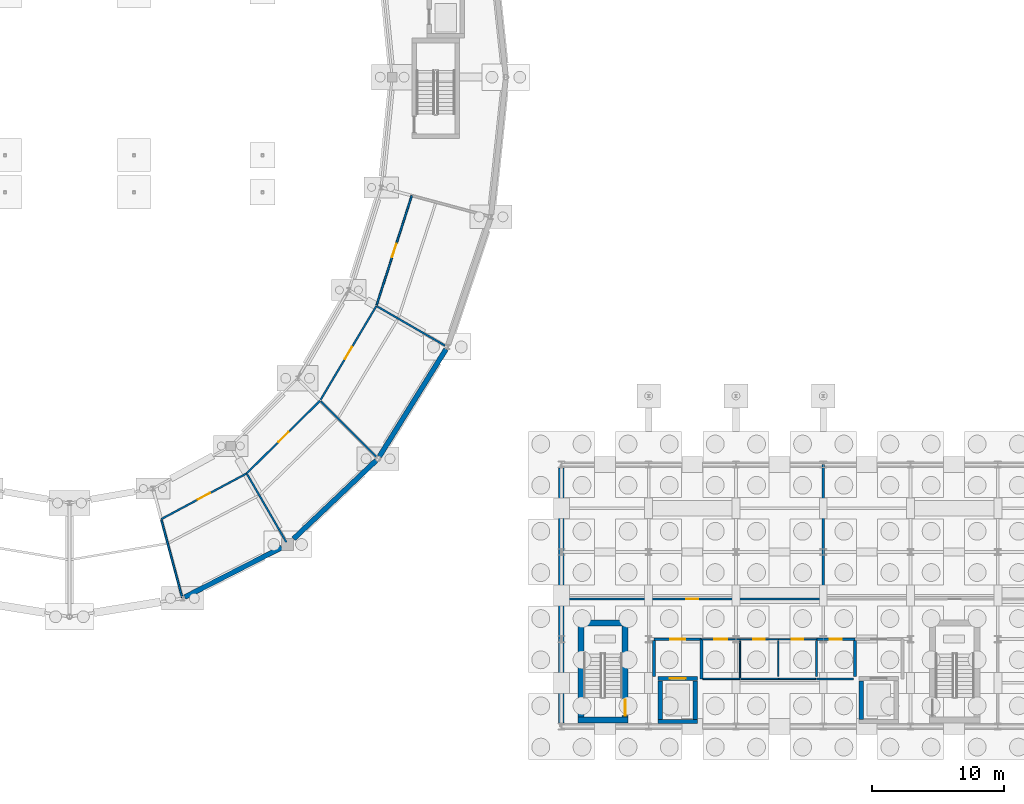
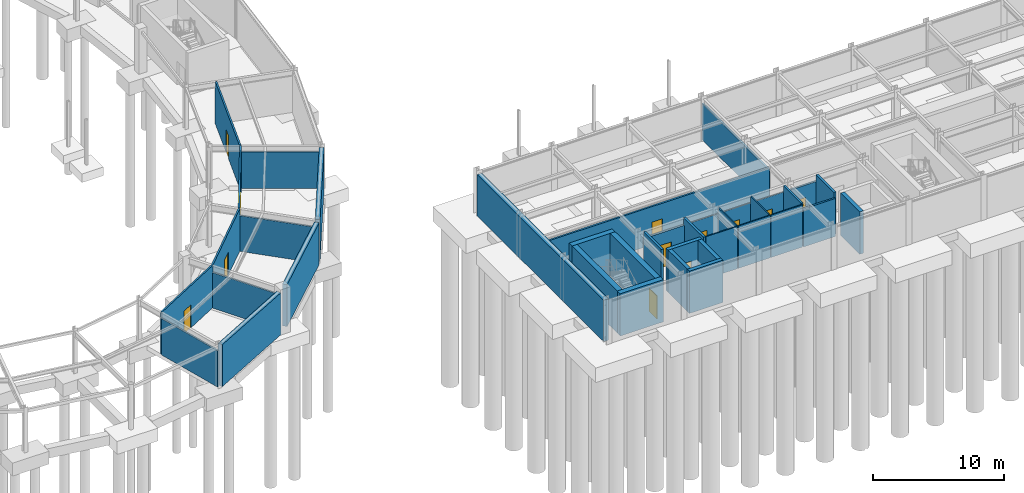
# One storey, part 43 of 58: 38 walls, 12 doors, 12 openings.
"""IFC4 building model written with IfcOpenShell, lengths in metres."""

from ifc_helpers import new_model, si_unit, direction, frame, frame_2d, origin, place, context, subcontext, project, spatial, rectangle, extrude, material, layer, layer_set, type_object, element, fill, save


model = new_model("IFC4")

# Units and contexts
model_context = context("Model", 3, precision=1e-05, world=origin(), true_north=direction((0.0, 1.0)))
body_context = subcontext(model_context, "Body", "Model", "MODEL_VIEW")
ifc_project = project(units=[si_unit("LENGTHUNIT", "METRE"), si_unit("AREAUNIT", "SQUARE_METRE"), si_unit("VOLUMEUNIT", "CUBIC_METRE"), si_unit("PLANEANGLEUNIT", "RADIAN"), si_unit("MASSUNIT", "GRAM", prefix="KILO")], contexts=[model_context])

# Site, building, storey
site_placement = place(None, origin())
site = spatial("IfcSite", under=ifc_project, at=site_placement, CompositionType="ELEMENT")
building_placement = place(site_placement, origin())
building = spatial("IfcBuilding", under=site, at=building_placement, Name="Karori Crest Natural Sciences Institute", CompositionType="ELEMENT")
storey_placement = place(building_placement, frame((0.0, 0.0, -4.199951171875)))
storey = spatial("IfcBuildingStorey", under=building, at=storey_placement, Name="B1", CompositionType="ELEMENT", Elevation=-4.199951171875)

# Walls
ifc_material_1 = material(Name="Concrete 50 MPa", Category="concrete")
ifc_layer_1 = layer(ifc_material_1, 0.449951171875, Name="Concrete 50 MPa")
ifc_layer_set_1 = layer_set([ifc_layer_1], Name="Concrete 50 MPa")
wall_type_1 = type_object("IfcWallType", Name="IWT-01", PredefinedType="SHEAR", material=ifc_layer_set_1)
for number, where, z_axis, x_axis, name in (
    (1, (104.85009765625, 1.27490234375, 0.0), (0.0, 0.0, 1.0), (1.0, 0.0, 0.0), "Shear wall IW-0069"),
    (2, (104.85009765625, 8.625, 0.0), (0.0, 0.0, 1.0), (1.0, 0.0, 0.0), "Shear wall IW-0070"),
):
    element("IfcWall", number, at=place(storey_placement, frame(where, z_axis=z_axis, x_axis=x_axis)), inside=storey, type_object=wall_type_1, Name=name, PredefinedType="SHEAR", context=body_context, shape_type="SweptSolid", body=[
        extrude(rectangle(XDim=3.7998046875, YDim=0.449951171875, at=frame_2d((1.89990234375, 0.0))), origin(), (0.0, 0.0, 1.0), 3.93994140625),
    ])
wall_1_placement = place(storey_placement, frame((105.074951171875, 1.501953125, 0.0), z_axis=(0.0, 0.0, 1.0), x_axis=(0.0, 1.0, 0.0)))
element("IfcWall", 3, at=wall_1_placement, inside=storey, type_object=wall_type_1, Name="Shear wall IW-0071", PredefinedType="SHEAR", context=body_context, shape_type="SweptSolid", body=[
    extrude(rectangle(XDim=6.89599609375, YDim=0.449951171875, at=frame_2d((3.447998046875, 0.0))), origin(), (0.0, 0.0, 1.0), 3.93994140625),
])

# Wall, opening, door
wall_2_placement = place(storey_placement, frame((108.425048828125, 1.501953125, 0.0), z_axis=(0.0, 0.0, 1.0), x_axis=(0.0, 1.0, 0.0)))
wall_2 = element("IfcWall", 4, at=wall_2_placement, inside=storey, type_object=wall_type_1, Name="Shear wall IW-0072", PredefinedType="SHEAR", context=body_context, shape_type="SweptSolid", body=[
    extrude(rectangle(XDim=6.89599609375, YDim=0.449951171875, at=frame_2d((3.447998046875, 0.0))), origin(), (0.0, 0.0, 1.0), 3.93994140625),
])
opening_1_placement = place(wall_2_placement, frame((0.1201171875, 0.0, 0.0)))
opening_1 = element("IfcOpeningElement", 5, at=opening_1_placement, cuts=wall_2, Name="Opening ID-0018", PredefinedType="OPENING", context=body_context, shape_type="SweptSolid", body=[
    extrude(rectangle(XDim=1.199951171875, YDim=2.14990234375, at=frame_2d((0.60009765625, 1.074951171875))), frame((0.0, 0.23486328125, 0.0), z_axis=(0.0, -1.0, 0.0), x_axis=(1.0, 0.0, 0.0)), (0.0, 0.0, 1.0), 0.469970703125),
])
ifc_material_2 = material(Name="Stainless steel 316 and fire-rated timber", Category="steel")
door_type_1 = type_object("IfcDoorType", Name="IDT-01", OperationType="NOTDEFINED", PredefinedType="DOOR", material=ifc_material_2)
door_1_placement = place(opening_1_placement, origin())
door_1 = element("IfcDoor", 6, at=door_1_placement, inside=storey, type_object=door_type_1, Name="Stair ST-03 fire door ID-0018", OperationType="SINGLE_SWING_RIGHT", OverallHeight=2.14990234375, OverallWidth=1.199951171875, PredefinedType="DOOR", context=body_context, shape_type="SweptSolid", body=[
    extrude(rectangle(XDim=1.199951171875, YDim=2.14990234375, at=frame_2d((0.60009765625, 1.074951171875))), frame((0.0, 0.02490234375, 0.0), z_axis=(0.0, -1.0, 0.0), x_axis=(1.0, 0.0, 0.0)), (0.0, 0.0, 1.0), 0.050048828125),
])
fill(opening_1, door_1)

# Wall
ifc_layer_2 = layer(ifc_material_1, 0.320068359375, Name="Concrete 50 MPa")
ifc_layer_set_2 = layer_set([ifc_layer_2], Name="Concrete 50 MPa")
wall_type_2 = type_object("IfcWallType", Name="IWT-03", PredefinedType="SHEAR", material=ifc_layer_set_2)
wall_3_placement = place(storey_placement, frame((110.919921875, 1.179931640625, 0.0), z_axis=(0.0, 0.0, 1.0), x_axis=(1.0, 0.0, 0.0)))
element("IfcWall", 7, at=wall_3_placement, inside=storey, type_object=wall_type_2, Name="Shear wall IW-0305", PredefinedType="SHEAR", context=body_context, shape_type="SweptSolid", body=[
    extrude(rectangle(XDim=2.9599609375, YDim=0.320068359375, at=frame_2d((1.47998046875, 0.0))), origin(), (0.0, 0.0, 1.0), 3.93994140625),
])

# Wall, opening, door
wall_4_placement = place(storey_placement, frame((110.919921875, 4.419921875, 0.0), z_axis=(0.0, 0.0, 1.0), x_axis=(1.0, 0.0, 0.0)))
wall_4 = element("IfcWall", 8, at=wall_4_placement, inside=storey, type_object=wall_type_2, Name="Shear wall IW-0306", PredefinedType="SHEAR", context=body_context, shape_type="SweptSolid", body=[
    extrude(rectangle(XDim=2.9599609375, YDim=0.320068359375, at=frame_2d((1.47998046875, 0.0))), origin(), (0.0, 0.0, 1.0), 3.93994140625),
])
opening_2_placement = place(wall_4_placement, frame((0.8798828125, 0.0, 0.0)))
opening_2 = element("IfcOpeningElement", 9, at=opening_2_placement, cuts=wall_4, Name="Opening LD-0001", PredefinedType="OPENING", context=body_context, shape_type="SweptSolid", body=[
    extrude(rectangle(XDim=1.199951171875, YDim=2.199951171875, at=frame_2d((0.60009765625, 1.10009765625))), frame((0.0, 0.169921875, 0.0), z_axis=(0.0, -1.0, 0.0), x_axis=(1.0, 0.0, 0.0)), (0.0, 0.0, 1.0), 0.340087890625),
])
door_type_2 = type_object("IfcDoorType", Name="LDT-02", OperationType="SLIDING_TO_LEFT", PredefinedType="DOOR", material=ifc_material_2)
door_2_placement = place(opening_2_placement, origin())
door_2 = element("IfcDoor", 10, at=door_2_placement, inside=storey, type_object=door_type_2, Name="Lift LF-01 landing door LD-0001", OperationType="SLIDING_TO_LEFT", OverallHeight=2.199951171875, OverallWidth=1.199951171875, PredefinedType="DOOR", context=body_context, shape_type="SweptSolid", body=[
    extrude(rectangle(XDim=1.199951171875, YDim=2.199951171875, at=frame_2d((0.60009765625, 1.10009765625))), frame((0.0, 0.02490234375, 0.0), z_axis=(0.0, -1.0, 0.0), x_axis=(1.0, 0.0, 0.0)), (0.0, 0.0, 1.0), 0.050048828125),
])
fill(opening_2, door_2)

# Walls
for number, where, z_axis, x_axis, name in (
    (11, (111.080078125, 1.342041015625, 0.0), (0.0, 0.0, 1.0), (0.0, 1.0, 0.0), "Shear wall IW-0307"),
    (12, (113.719970703125, 1.342041015625, 0.0), (0.0, 0.0, 1.0), (0.0, 1.0, 0.0), "Shear wall IW-0308"),
    (13, (126.280029296875, 1.342041015625, 0.0), (0.0, 0.0, 1.0), (0.0, 1.0, 0.0), "Shear wall IW-0355"),
):
    element("IfcWall", number, at=place(storey_placement, frame(where, z_axis=z_axis, x_axis=x_axis)), inside=storey, type_object=wall_type_2, Name=name, PredefinedType="SHEAR", context=body_context, shape_type="SweptSolid", body=[
        extrude(rectangle(XDim=2.916015625, YDim=0.320068359375, at=frame_2d((1.4580078125, 0.0))), origin(), (0.0, 0.0, 1.0), 3.93994140625),
    ])

# Wall, opening, door
ifc_material_3 = material(Name="Concrete 40 MPa", Category="concrete")
ifc_layer_3 = layer(ifc_material_3, 0.199951171875, Name="Concrete 40 MPa")
ifc_layer_set_3 = layer_set([ifc_layer_3], Name="Concrete 40 MPa")
wall_type_3 = type_object("IfcWallType", Name="IWT-04", PredefinedType="SOLIDWALL", material=ifc_layer_set_3)
wall_5_placement = place(storey_placement, frame((110.60009765625, 7.39990234375, 0.0), z_axis=(0.0, 0.0, 1.0), x_axis=(1.0, 0.0, 0.0)))
wall_5 = element("IfcWall", 14, at=wall_5_placement, inside=storey, type_object=wall_type_3, Name="Partition wall IW-0551", PredefinedType="SOLIDWALL", context=body_context, shape_type="SweptSolid", body=[
    extrude(rectangle(XDim=3.599853515625, YDim=0.199951171875, at=frame_2d((1.7998046875, 0.0))), origin(), (0.0, 0.0, 1.0), 3.29296875),
])
opening_3_placement = place(wall_5_placement, frame((1.22509765625, 0.0, 0.0)))
opening_3 = element("IfcOpeningElement", 15, at=opening_3_placement, cuts=wall_5, Name="Opening ID-0077", PredefinedType="OPENING", context=body_context, shape_type="SweptSolid", body=[
    extrude(rectangle(XDim=1.14990234375, YDim=2.14990234375, at=frame_2d((0.574951171875, 1.074951171875))), frame((0.0, 0.10986328125, 0.0), z_axis=(0.0, -1.0, 0.0), x_axis=(1.0, 0.0, 0.0)), (0.0, 0.0, 1.0), 0.219970703125),
])
door_type_3 = type_object("IfcDoorType", Name="IDT-02", OperationType="NOTDEFINED", PredefinedType="DOOR", material=ifc_material_2)
door_3_placement = place(opening_3_placement, origin())
door_3 = element("IfcDoor", 16, at=door_3_placement, inside=storey, type_object=door_type_3, Name="Firefighting Lift Lobby West door ID-0077", OperationType="SINGLE_SWING_LEFT", OverallHeight=2.14990234375, OverallWidth=1.14990234375, PredefinedType="DOOR", context=body_context, shape_type="SweptSolid", body=[
    extrude(rectangle(XDim=1.14990234375, YDim=2.14990234375, at=frame_2d((0.574951171875, 1.074951171875))), frame((0.0, 0.02490234375, 0.0), z_axis=(0.0, -1.0, 0.0), x_axis=(1.0, 0.0, 0.0)), (0.0, 0.0, 1.0), 0.050048828125),
])
fill(opening_3, door_3)

# Walls
wall_6_placement = place(storey_placement, frame((110.60009765625, 4.58203125, 0.0), z_axis=(0.0, 0.0, 1.0), x_axis=(0.0, 1.0, 0.0)))
element("IfcWall", 17, at=wall_6_placement, inside=storey, type_object=wall_type_3, Name="Partition wall IW-0552", PredefinedType="SOLIDWALL", context=body_context, shape_type="SweptSolid", body=[
    extrude(rectangle(XDim=2.716064453125, YDim=0.199951171875, at=frame_2d((1.35791015625, 0.0))), origin(), (0.0, 0.0, 1.0), 3.93994140625),
])
wall_7_placement = place(storey_placement, frame((114.199951171875, 4.39990234375, 0.0), z_axis=(0.0, 0.0, 1.0), x_axis=(0.0, 1.0, 0.0)))
element("IfcWall", 18, at=wall_7_placement, inside=storey, type_object=wall_type_3, Name="Partition wall IW-0553", PredefinedType="SOLIDWALL", context=body_context, shape_type="SweptSolid", body=[
    extrude(rectangle(XDim=3.0, YDim=0.199951171875, at=frame_2d((1.5, 0.0))), origin(), (0.0, 0.0, 1.0), 3.93994140625),
])
wall_8_placement = place(storey_placement, frame((125.800048828125, 4.58203125, 0.0), z_axis=(0.0, 0.0, 1.0), x_axis=(0.0, 1.0, 0.0)))
element("IfcWall", 19, at=wall_8_placement, inside=storey, type_object=wall_type_3, Name="Partition wall IW-0555", PredefinedType="SOLIDWALL", context=body_context, shape_type="SweptSolid", body=[
    extrude(rectangle(XDim=2.716064453125, YDim=0.199951171875, at=frame_2d((1.35791015625, 0.0))), origin(), (0.0, 0.0, 1.0), 3.93994140625),
])
ifc_material_4 = material(Name="Acoustic steel-stud fireboard partition", Category="steel")
ifc_layer_4 = layer(ifc_material_4, 0.159912109375, Name="Acoustic steel-stud fireboard partition")
ifc_layer_set_4 = layer_set([ifc_layer_4], Name="Acoustic steel-stud fireboard partition")
wall_type_4 = type_object("IfcWallType", Name="IWT-05", PredefinedType="PARTITIONING", material=ifc_layer_set_4)
wall_9_placement = place(storey_placement, frame((122.89990234375, 4.39990234375, 0.0), z_axis=(0.0, 0.0, 1.0), x_axis=(1.0, 0.0, 0.0)))
element("IfcWall", 20, at=wall_9_placement, inside=storey, type_object=wall_type_4, Name="Partition wall IW-0557", PredefinedType="PARTITIONING", context=body_context, shape_type="SweptSolid", body=[
    extrude(rectangle(XDim=2.798095703125, YDim=0.159912109375, at=frame_2d((1.39892578125, 0.0))), origin(), (0.0, 0.0, 1.0), 3.5458984375),
])

# Wall, opening, door
wall_10_placement = place(storey_placement, frame((122.89990234375, 7.39990234375, 0.0), z_axis=(0.0, 0.0, 1.0), x_axis=(1.0, 0.0, 0.0)))
wall_10 = element("IfcWall", 21, at=wall_10_placement, inside=storey, type_object=wall_type_4, Name="Partition wall IW-0558", PredefinedType="PARTITIONING", context=body_context, shape_type="SweptSolid", body=[
    extrude(rectangle(XDim=2.898193359375, YDim=0.159912109375, at=frame_2d((1.44921875, 0.0))), origin(), (0.0, 0.0, 1.0), 3.29296875),
])
opening_4_placement = place(wall_10_placement, frame((0.989013671875, 0.0, 0.0)))
opening_4 = element("IfcOpeningElement", 22, at=opening_4_placement, cuts=wall_10, Name="Opening ID-0079", PredefinedType="OPENING", context=body_context, shape_type="SweptSolid", body=[
    extrude(rectangle(XDim=0.919921875, YDim=2.1201171875, at=frame_2d((0.4599609375, 1.06005859375))), frame((0.0, 0.08984375, 0.0), z_axis=(0.0, -1.0, 0.0), x_axis=(1.0, 0.0, 0.0)), (0.0, 0.0, 1.0), 0.179931640625),
])
door_type_4 = type_object("IfcDoorType", Name="IDT-14", OperationType="NOTDEFINED", PredefinedType="DOOR", material=ifc_material_2)
door_4_placement = place(opening_4_placement, origin())
door_4 = element("IfcDoor", 23, at=door_4_placement, inside=storey, type_object=door_type_4, Name="Electrical Switchroom door ID-0079", OperationType="SINGLE_SWING_LEFT", OverallHeight=2.1201171875, OverallWidth=0.919921875, PredefinedType="DOOR", context=body_context, shape_type="SweptSolid", body=[
    extrude(rectangle(XDim=0.919921875, YDim=2.1201171875, at=frame_2d((0.4599609375, 1.06005859375))), frame((0.0, 0.02490234375, 0.0), z_axis=(0.0, -1.0, 0.0), x_axis=(1.0, 0.0, 0.0)), (0.0, 0.0, 1.0), 0.050048828125),
])
fill(opening_4, door_4)

# Wall
wall_11_placement = place(storey_placement, frame((122.89990234375, 4.58203125, 0.0), z_axis=(0.0, 0.0, 1.0), x_axis=(0.0, 1.0, 0.0)))
element("IfcWall", 24, at=wall_11_placement, inside=storey, type_object=wall_type_4, Name="Partition wall IW-0559", PredefinedType="PARTITIONING", context=body_context, shape_type="SweptSolid", body=[
    extrude(rectangle(XDim=2.716064453125, YDim=0.159912109375, at=frame_2d((1.35791015625, 0.0))), origin(), (0.0, 0.0, 1.0), 3.93994140625),
])

# Wall, opening, door
wall_12_placement = place(storey_placement, frame((103.60009765625, 10.449951171875, 0.0), z_axis=(0.0, 0.0, 1.0), x_axis=(1.0, 0.0, 0.0)))
wall_12 = element("IfcWall", 25, at=wall_12_placement, inside=storey, type_object=wall_type_4, Name="Partition wall IW-0570", PredefinedType="PARTITIONING", context=body_context, shape_type="SweptSolid", body=[
    extrude(rectangle(XDim=19.7998046875, YDim=0.159912109375, at=frame_2d((9.89990234375, 0.0))), origin(), (0.0, 0.0, 1.0), 3.5458984375),
])
opening_5_placement = place(wall_12_placement, frame((9.449951171875, 0.0, 0.0)))
opening_5 = element("IfcOpeningElement", 26, at=opening_5_placement, cuts=wall_12, Name="Opening ID-0084", PredefinedType="OPENING", context=body_context, shape_type="SweptSolid", body=[
    extrude(rectangle(XDim=0.89990234375, YDim=2.10009765625, at=frame_2d((0.449951171875, 1.050048828125))), frame((0.0, 0.08984375, 0.0), z_axis=(0.0, -1.0, 0.0), x_axis=(1.0, 0.0, 0.0)), (0.0, 0.0, 1.0), 0.179931640625),
])
door_type_5 = type_object("IfcDoorType", Name="IDT-07", OperationType="NOTDEFINED", PredefinedType="DOOR", material=ifc_material_2)
door_5_placement = place(opening_5_placement, origin())
door_5 = element("IfcDoor", 27, at=door_5_placement, inside=storey, type_object=door_type_5, Name="Sprinkler and Rainwater Harvesting Tank Plant Room door ID-0084", OperationType="SINGLE_SWING_RIGHT", OverallHeight=2.10009765625, OverallWidth=0.89990234375, PredefinedType="DOOR", context=body_context, shape_type="SweptSolid", body=[
    extrude(rectangle(XDim=0.89990234375, YDim=2.10009765625, at=frame_2d((0.449951171875, 1.050048828125))), frame((0.0, 0.02490234375, 0.0), z_axis=(0.0, -1.0, 0.0), x_axis=(1.0, 0.0, 0.0)), (0.0, 0.0, 1.0), 0.050048828125),
])
fill(opening_5, door_5)

# Wall
wall_13_placement = place(storey_placement, frame((123.39990234375, 10.449951171875, 0.0), z_axis=(0.0, 0.0, 1.0), x_axis=(0.0, 1.0, 0.0)))
element("IfcWall", 28, at=wall_13_placement, inside=storey, type_object=wall_type_4, Name="Partition wall IW-0571", PredefinedType="PARTITIONING", context=body_context, shape_type="SweptSolid", body=[
    extrude(rectangle(XDim=10.150146484375, YDim=0.159912109375, at=frame_2d((5.0751953125, 0.0))), origin(), (0.0, 0.0, 1.0), 3.3720703125),
])

# Wall, opening, door
ifc_material_5 = material(Name="Laboratory acoustic drywall partition")
ifc_layer_5 = layer(ifc_material_5, 0.139892578125, Name="Laboratory acoustic drywall partition")
ifc_layer_set_5 = layer_set([ifc_layer_5], Name="Laboratory acoustic drywall partition")
wall_type_5 = type_object("IfcWallType", Name="IWT-07", PredefinedType="PARTITIONING", material=ifc_layer_set_5)
wall_14_placement = place(storey_placement, frame((73.33642578125, 16.47900390625, 0.0), z_axis=(0.0, 0.0, 1.0), x_axis=(0.88182684056, 0.471573348768, 0.0)))
wall_14 = element("IfcWall", 29, at=wall_14_placement, inside=storey, type_object=wall_type_5, Name="Partition wall IW-1136", PredefinedType="PARTITIONING", context=body_context, shape_type="SweptSolid", body=[
    extrude(rectangle(XDim=7.329833984375, YDim=0.139892578125, at=frame_2d((3.6650390625, 0.0))), origin(), (0.0, 0.0, 1.0), 3.93994140625),
])
opening_6_placement = place(wall_14_placement, frame((3.139892578125, 0.0, 0.0)))
opening_6 = element("IfcOpeningElement", 30, at=opening_6_placement, cuts=wall_14, Name="Opening ID-0333", PredefinedType="OPENING", context=body_context, shape_type="SweptSolid", body=[
    extrude(rectangle(XDim=1.050048828125, YDim=2.14990234375, at=frame_2d((0.52490234375, 1.074951171875))), frame((0.0, 0.080078125, 0.0), z_axis=(0.0, -1.0, 0.0), x_axis=(1.0, 0.0, 0.0)), (0.0, 0.0, 1.0), 0.159912109375),
])
door_type_6 = type_object("IfcDoorType", Name="IDT-03", OperationType="NOTDEFINED", PredefinedType="DOOR", material=ifc_material_2)
door_6_placement = place(opening_6_placement, origin())
door_6 = element("IfcDoor", 31, at=door_6_placement, inside=storey, type_object=door_type_6, Name="Specimen Cold Store door ID-0333", OperationType="SINGLE_SWING_LEFT", OverallHeight=2.14990234375, OverallWidth=1.050048828125, PredefinedType="DOOR", context=body_context, shape_type="SweptSolid", body=[
    extrude(rectangle(XDim=1.050048828125, YDim=2.14990234375, at=frame_2d((0.52490234375, 1.074951171875))), frame((0.0, 0.02490234375, 0.0), z_axis=(0.0, -1.0, 0.0), x_axis=(1.0, 0.0, 0.0)), (0.0, 0.0, 1.0), 0.050048828125),
])
fill(opening_6, door_6)

# Walls
wall_15_placement = place(storey_placement, frame((73.357177734375, 16.401611328125, 0.0), z_axis=(0.0, 0.0, 1.0), x_axis=(0.258805895167, -0.965929349708, 0.0)))
element("IfcWall", 32, at=wall_15_placement, inside=storey, type_object=wall_type_5, Name="Partition wall IW-1137", PredefinedType="PARTITIONING", context=body_context, shape_type="SweptSolid", body=[
    extrude(rectangle(XDim=6.06005859375, YDim=0.139892578125, at=frame_2d((3.030029296875, 0.0))), origin(), (0.0, 0.0, 1.0), 3.391845703125),
])
wall_16_placement = place(storey_placement, frame((79.840087890625, 19.8662109375, 0.0), z_axis=(0.0, 0.0, 1.0), x_axis=(0.500001726418, -0.866024407034, 0.0)))
element("IfcWall", 33, at=wall_16_placement, inside=storey, type_object=wall_type_5, Name="Partition wall IW-1138", PredefinedType="PARTITIONING", context=body_context, shape_type="SweptSolid", body=[
    extrude(rectangle(XDim=5.927734375, YDim=0.139892578125, at=frame_2d((2.9638671875, 0.0))), origin(), (0.0, 0.0, 1.0), 3.31298828125),
])

# Wall, opening, door
wall_17_placement = place(storey_placement, frame((79.801513671875, 19.93701171875, 0.0), z_axis=(0.0, 0.0, 1.0), x_axis=(0.710427757183, 0.703770134222, 0.0)))
wall_17 = element("IfcWall", 34, at=wall_17_placement, inside=storey, type_object=wall_type_5, Name="Partition wall IW-1139", PredefinedType="PARTITIONING", context=body_context, shape_type="SweptSolid", body=[
    extrude(rectangle(XDim=7.810791015625, YDim=0.139892578125, at=frame_2d((3.9052734375, 0.0))), origin(), (0.0, 0.0, 1.0), 3.93994140625),
])
opening_7_placement = place(wall_17_placement, frame((3.380615234375, 0.0, 0.0)))
opening_7 = element("IfcOpeningElement", 35, at=opening_7_placement, cuts=wall_17, Name="Opening ID-0334", PredefinedType="OPENING", context=body_context, shape_type="SweptSolid", body=[
    extrude(rectangle(XDim=1.050048828125, YDim=2.14990234375, at=frame_2d((0.52490234375, 1.074951171875))), frame((0.0, 0.080078125, 0.0), z_axis=(0.0, -1.0, 0.0), x_axis=(1.0, 0.0, 0.0)), (0.0, 0.0, 1.0), 0.159912109375),
])
door_7_placement = place(opening_7_placement, origin())
door_7 = element("IfcDoor", 36, at=door_7_placement, inside=storey, type_object=door_type_6, Name="Laboratory Exhaust and Vacuum Plant Room door ID-0334", OperationType="SINGLE_SWING_RIGHT", OverallHeight=2.14990234375, OverallWidth=1.050048828125, PredefinedType="DOOR", context=body_context, shape_type="SweptSolid", body=[
    extrude(rectangle(XDim=1.050048828125, YDim=2.14990234375, at=frame_2d((0.52490234375, 1.074951171875))), frame((0.0, 0.02490234375, 0.0), z_axis=(0.0, -1.0, 0.0), x_axis=(1.0, 0.0, 0.0)), (0.0, 0.0, 1.0), 0.050048828125),
])
fill(opening_7, door_7)

# Wall
wall_18_placement = place(storey_placement, frame((85.406982421875, 25.37744140625, 0.0), z_axis=(0.0, 0.0, 1.0), x_axis=(0.707106781187, -0.707106781187, 0.0)))
element("IfcWall", 37, at=wall_18_placement, inside=storey, type_object=wall_type_5, Name="Partition wall IW-1140", PredefinedType="PARTITIONING", context=body_context, shape_type="SweptSolid", body=[
    extrude(rectangle(XDim=5.927978515625, YDim=0.139892578125, at=frame_2d((2.9638671875, 0.0))), origin(), (0.0, 0.0, 1.0), 3.322998046875),
])

# Wall, opening, door
wall_19_placement = place(storey_placement, frame((85.388427734375, 25.497802734375, 0.0), z_axis=(0.0, 0.0, 1.0), x_axis=(0.510914893672, 0.8596312997, 0.0)))
wall_19 = element("IfcWall", 38, at=wall_19_placement, inside=storey, type_object=wall_type_5, Name="Partition wall IW-1141", PredefinedType="PARTITIONING", context=body_context, shape_type="SweptSolid", body=[
    extrude(rectangle(XDim=8.261962890625, YDim=0.139892578125, at=frame_2d((4.130859375, 0.0))), origin(), (0.0, 0.0, 1.0), 3.93994140625),
])
opening_8_placement = place(wall_19_placement, frame((3.60595703125, 0.0, 0.0)))
opening_8 = element("IfcOpeningElement", 39, at=opening_8_placement, cuts=wall_19, Name="Opening ID-0335", PredefinedType="OPENING", context=body_context, shape_type="SweptSolid", body=[
    extrude(rectangle(XDim=1.050048828125, YDim=2.14990234375, at=frame_2d((0.52490234375, 1.074951171875))), frame((0.0, 0.080078125, 0.0), z_axis=(0.0, -1.0, 0.0), x_axis=(1.0, 0.0, 0.0)), (0.0, 0.0, 1.0), 0.159912109375),
])
door_8_placement = place(opening_8_placement, origin())
door_8 = element("IfcDoor", 40, at=door_8_placement, inside=storey, type_object=door_type_6, Name="Geological Core Specimen Archive door ID-0335", OperationType="SINGLE_SWING_LEFT", OverallHeight=2.14990234375, OverallWidth=1.050048828125, PredefinedType="DOOR", context=body_context, shape_type="SweptSolid", body=[
    extrude(rectangle(XDim=1.050048828125, YDim=2.14990234375, at=frame_2d((0.52490234375, 1.074951171875))), frame((0.0, 0.02490234375, 0.0), z_axis=(0.0, -1.0, 0.0), x_axis=(1.0, 0.0, 0.0)), (0.0, 0.0, 1.0), 0.050048828125),
])
fill(opening_8, door_8)

# Wall
wall_20_placement = place(storey_placement, frame((89.6787109375, 32.56005859375, 0.0), z_axis=(0.0, 0.0, 1.0), x_axis=(0.86603470313, -0.499983892715, 0.0)))
element("IfcWall", 41, at=wall_20_placement, inside=storey, type_object=wall_type_5, Name="Partition wall IW-1142", PredefinedType="PARTITIONING", context=body_context, shape_type="SweptSolid", body=[
    extrude(rectangle(XDim=5.927978515625, YDim=0.139892578125, at=frame_2d((2.9638671875, 0.0))), origin(), (0.0, 0.0, 1.0), 3.391845703125),
])

# Wall, opening, door
wall_21_placement = place(storey_placement, frame((89.632080078125, 32.670166015625, 0.0), z_axis=(0.0, 0.0, 1.0), x_axis=(0.305495322231, 0.952193577008, 0.0)))
wall_21 = element("IfcWall", 42, at=wall_21_placement, inside=storey, type_object=wall_type_5, Name="Partition wall IW-1143", PredefinedType="PARTITIONING", context=body_context, shape_type="SweptSolid", body=[
    extrude(rectangle(XDim=8.690185546875, YDim=0.139892578125, at=frame_2d((4.34521484375, 0.0))), origin(), (0.0, 0.0, 1.0), 3.93994140625),
])
opening_9_placement = place(wall_21_placement, frame((3.820068359375, 0.0, 0.0)))
opening_9 = element("IfcOpeningElement", 43, at=opening_9_placement, cuts=wall_21, Name="Opening ID-0336", PredefinedType="OPENING", context=body_context, shape_type="SweptSolid", body=[
    extrude(rectangle(XDim=1.050048828125, YDim=2.14990234375, at=frame_2d((0.52490234375, 1.074951171875))), frame((0.0, 0.080078125, 0.0), z_axis=(0.0, -1.0, 0.0), x_axis=(1.0, 0.0, 0.0)), (0.0, 0.0, 1.0), 0.159912109375),
])
door_9_placement = place(opening_9_placement, origin())
door_9 = element("IfcDoor", 44, at=door_9_placement, inside=storey, type_object=door_type_6, Name="Specimen Cold Store door ID-0336", OperationType="SINGLE_SWING_RIGHT", OverallHeight=2.14990234375, OverallWidth=1.050048828125, PredefinedType="DOOR", context=body_context, shape_type="SweptSolid", body=[
    extrude(rectangle(XDim=1.050048828125, YDim=2.14990234375, at=frame_2d((0.52490234375, 1.074951171875))), frame((0.0, 0.02490234375, 0.0), z_axis=(0.0, -1.0, 0.0), x_axis=(1.0, 0.0, 0.0)), (0.0, 0.0, 1.0), 0.050048828125),
])
fill(opening_9, door_9)

# Wall
ifc_material_6 = material(Name="Washroom moisture-resistant partition")
ifc_layer_6 = layer(ifc_material_6, 0.10009765625, Name="Washroom moisture-resistant partition")
ifc_layer_set_6 = layer_set([ifc_layer_6], Name="Washroom moisture-resistant partition")
wall_type_6 = type_object("IfcWallType", Name="IWT-09", PredefinedType="PARTITIONING", material=ifc_layer_set_6)
wall_22_placement = place(storey_placement, frame((114.302001953125, 4.39990234375, 0.0), z_axis=(0.0, 0.0, 1.0), x_axis=(1.0, 0.0, 0.0)))
element("IfcWall", 45, at=wall_22_placement, inside=storey, type_object=wall_type_6, Name="Partition wall IW-0560", PredefinedType="PARTITIONING", context=body_context, shape_type="SweptSolid", body=[
    extrude(rectangle(XDim=2.798095703125, YDim=0.10009765625, at=frame_2d((1.39892578125, 0.0))), origin(), (0.0, 0.0, 1.0), 3.93994140625),
])

# Wall, opening, door
wall_23_placement = place(storey_placement, frame((114.201904296875, 7.39990234375, 0.0), z_axis=(0.0, 0.0, 1.0), x_axis=(1.0, 0.0, 0.0)))
wall_23 = element("IfcWall", 46, at=wall_23_placement, inside=storey, type_object=wall_type_6, Name="Partition wall IW-0561", PredefinedType="PARTITIONING", context=body_context, shape_type="SweptSolid", body=[
    extrude(rectangle(XDim=2.898193359375, YDim=0.10009765625, at=frame_2d((1.44921875, 0.0))), origin(), (0.0, 0.0, 1.0), 3.29296875),
])
opening_10_placement = place(wall_23_placement, frame((0.948974609375, 0.0, 0.0)))
opening_10 = element("IfcOpeningElement", 47, at=opening_10_placement, cuts=wall_23, Name="Opening ID-0080", PredefinedType="OPENING", context=body_context, shape_type="SweptSolid", body=[
    extrude(rectangle(XDim=1.0, YDim=2.10009765625, at=frame_2d((0.5, 1.050048828125))), frame((0.0, 0.06005859375, 0.0), z_axis=(0.0, -1.0, 0.0), x_axis=(1.0, 0.0, 0.0)), (0.0, 0.0, 1.0), 0.1201171875),
])
ifc_material_7 = material(Name="Anodised aluminium and acoustic timber", Category="wood")
door_type_7 = type_object("IfcDoorType", Name="IDT-09", OperationType="NOTDEFINED", PredefinedType="DOOR", material=ifc_material_7)
door_10_placement = place(opening_10_placement, origin())
door_10 = element("IfcDoor", 48, at=door_10_placement, inside=storey, type_object=door_type_7, Name="Accessible WC door ID-0080", OperationType="SINGLE_SWING_RIGHT", OverallHeight=2.10009765625, OverallWidth=1.0, PredefinedType="DOOR", context=body_context, shape_type="SweptSolid", body=[
    extrude(rectangle(XDim=1.0, YDim=2.10009765625, at=frame_2d((0.5, 1.050048828125))), frame((0.0, 0.02490234375, 0.0), z_axis=(0.0, -1.0, 0.0), x_axis=(1.0, 0.0, 0.0)), (0.0, 0.0, 1.0), 0.050048828125),
])
fill(opening_10, door_10)

# Walls
wall_24_placement = place(storey_placement, frame((117.10009765625, 4.48193359375, 0.0), z_axis=(0.0, 0.0, 1.0), x_axis=(0.0, 1.0, 0.0)))
element("IfcWall", 49, at=wall_24_placement, inside=storey, type_object=wall_type_6, Name="Partition wall IW-0562", PredefinedType="PARTITIONING", context=body_context, shape_type="SweptSolid", body=[
    extrude(rectangle(XDim=2.816162109375, YDim=0.10009765625, at=frame_2d((1.408203125, 0.0))), origin(), (0.0, 0.0, 1.0), 3.93994140625),
])
wall_25_placement = place(storey_placement, frame((117.152099609375, 4.39990234375, 0.0), z_axis=(0.0, 0.0, 1.0), x_axis=(1.0, 0.0, 0.0)))
element("IfcWall", 50, at=wall_25_placement, inside=storey, type_object=wall_type_6, Name="Partition wall IW-0563", PredefinedType="PARTITIONING", context=body_context, shape_type="SweptSolid", body=[
    extrude(rectangle(XDim=2.847900390625, YDim=0.10009765625, at=frame_2d((1.423828125, 0.0))), origin(), (0.0, 0.0, 1.0), 3.93994140625),
])

# Wall, opening, door
wall_26_placement = place(storey_placement, frame((117.10205078125, 7.39990234375, 0.0), z_axis=(0.0, 0.0, 1.0), x_axis=(1.0, 0.0, 0.0)))
wall_26 = element("IfcWall", 51, at=wall_26_placement, inside=storey, type_object=wall_type_6, Name="Partition wall IW-0564", PredefinedType="PARTITIONING", context=body_context, shape_type="SweptSolid", body=[
    extrude(rectangle(XDim=2.89794921875, YDim=0.10009765625, at=frame_2d((1.448974609375, 0.0))), origin(), (0.0, 0.0, 1.0), 3.29296875),
])
opening_11_placement = place(wall_26_placement, frame((1.009033203125, 0.0, 0.0)))
opening_11 = element("IfcOpeningElement", 52, at=opening_11_placement, cuts=wall_26, Name="Opening ID-0081", PredefinedType="OPENING", context=body_context, shape_type="SweptSolid", body=[
    extrude(rectangle(XDim=0.8798828125, YDim=2.080078125, at=frame_2d((0.43994140625, 1.0400390625))), frame((0.0, 0.06005859375, 0.0), z_axis=(0.0, -1.0, 0.0), x_axis=(1.0, 0.0, 0.0)), (0.0, 0.0, 1.0), 0.1201171875),
])
door_type_8 = type_object("IfcDoorType", Name="IDT-10", OperationType="NOTDEFINED", PredefinedType="DOOR", material=ifc_material_7)
door_11_placement = place(opening_11_placement, origin())
door_11 = element("IfcDoor", 53, at=door_11_placement, inside=storey, type_object=door_type_8, Name="Female Washroom WC door ID-0081", OperationType="SINGLE_SWING_LEFT", OverallHeight=2.080078125, OverallWidth=0.8798828125, PredefinedType="DOOR", context=body_context, shape_type="SweptSolid", body=[
    extrude(rectangle(XDim=0.8798828125, YDim=2.080078125, at=frame_2d((0.43994140625, 1.0400390625))), frame((0.0, 0.02490234375, 0.0), z_axis=(0.0, -1.0, 0.0), x_axis=(1.0, 0.0, 0.0)), (0.0, 0.0, 1.0), 0.050048828125),
])
fill(opening_11, door_11)

# Walls
wall_27_placement = place(storey_placement, frame((120.0, 4.58203125, 0.0), z_axis=(0.0, 0.0, 1.0), x_axis=(0.0, 1.0, 0.0)))
element("IfcWall", 54, at=wall_27_placement, inside=storey, type_object=wall_type_6, Name="Partition wall IW-0565", PredefinedType="PARTITIONING", context=body_context, shape_type="SweptSolid", body=[
    extrude(rectangle(XDim=2.716064453125, YDim=0.10009765625, at=frame_2d((1.35791015625, 0.0))), origin(), (0.0, 0.0, 1.0), 3.93994140625),
])
wall_28_placement = place(storey_placement, frame((120.052001953125, 4.39990234375, 0.0), z_axis=(0.0, 0.0, 1.0), x_axis=(1.0, 0.0, 0.0)))
element("IfcWall", 55, at=wall_28_placement, inside=storey, type_object=wall_type_6, Name="Partition wall IW-0566", PredefinedType="PARTITIONING", context=body_context, shape_type="SweptSolid", body=[
    extrude(rectangle(XDim=2.76611328125, YDim=0.10009765625, at=frame_2d((1.383056640625, 0.0))), origin(), (0.0, 0.0, 1.0), 3.93994140625),
])

# Wall, opening, door
wall_29_placement = place(storey_placement, frame((120.001953125, 7.39990234375, 0.0), z_axis=(0.0, 0.0, 1.0), x_axis=(1.0, 0.0, 0.0)))
wall_29 = element("IfcWall", 56, at=wall_29_placement, inside=storey, type_object=wall_type_6, Name="Partition wall IW-0567", PredefinedType="PARTITIONING", context=body_context, shape_type="SweptSolid", body=[
    extrude(rectangle(XDim=2.89599609375, YDim=0.10009765625, at=frame_2d((1.447998046875, 0.0))), origin(), (0.0, 0.0, 1.0), 3.29296875),
])
opening_12_placement = place(wall_29_placement, frame((1.008056640625, 0.0, 0.0)))
opening_12 = element("IfcOpeningElement", 57, at=opening_12_placement, cuts=wall_29, Name="Opening ID-0082", PredefinedType="OPENING", context=body_context, shape_type="SweptSolid", body=[
    extrude(rectangle(XDim=0.8798828125, YDim=2.080078125, at=frame_2d((0.43994140625, 1.0400390625))), frame((0.0, 0.06005859375, 0.0), z_axis=(0.0, -1.0, 0.0), x_axis=(1.0, 0.0, 0.0)), (0.0, 0.0, 1.0), 0.1201171875),
])
door_12_placement = place(opening_12_placement, origin())
door_12 = element("IfcDoor", 58, at=door_12_placement, inside=storey, type_object=door_type_8, Name="Male Washroom WC door ID-0082", OperationType="SINGLE_SWING_RIGHT", OverallHeight=2.080078125, OverallWidth=0.8798828125, PredefinedType="DOOR", context=body_context, shape_type="SweptSolid", body=[
    extrude(rectangle(XDim=0.8798828125, YDim=2.080078125, at=frame_2d((0.43994140625, 1.0400390625))), frame((0.0, 0.02490234375, 0.0), z_axis=(0.0, -1.0, 0.0), x_axis=(1.0, 0.0, 0.0)), (0.0, 0.0, 1.0), 0.050048828125),
])
fill(opening_12, door_12)

# Walls
ifc_layer_7 = layer(ifc_material_3, 0.3798828125, Name="Concrete 40 MPa")
ifc_layer_set_7 = layer_set([ifc_layer_7], Name="Concrete 40 MPa")
wall_type_7 = type_object("IfcWallType", Name="WT-08", PredefinedType="USERDEFINED", material=ifc_layer_set_7)
wall_30_placement = place(storey_placement, frame((82.451904296875, 14.336669921875, 0.0), z_axis=(0.0, 0.0, 1.0), x_axis=(-0.890067688898, -0.455828376893, 0.0)))
element("IfcWall", 59, at=wall_30_placement, inside=storey, type_object=wall_type_7, Name="Exterior wall EW-0001", ObjectType="RETAININGWALL", PredefinedType="USERDEFINED", context=body_context, shape_type="SweptSolid", body=[
    extrude(rectangle(XDim=8.243896484375, YDim=0.3798828125, at=frame_2d((4.1220703125, 0.0))), origin(), (0.0, 0.0, 1.0), 3.89990234375),
])
wall_31_placement = place(storey_placement, frame((89.58837890625, 20.91162109375, 0.0), z_axis=(0.0, 0.0, 1.0), x_axis=(-0.725454249995, -0.688270391027, 0.0)))
element("IfcWall", 60, at=wall_31_placement, inside=storey, type_object=wall_type_7, Name="Exterior wall EW-0002", ObjectType="RETAININGWALL", PredefinedType="USERDEFINED", context=body_context, shape_type="SweptSolid", body=[
    extrude(rectangle(XDim=8.60107421875, YDim=0.3798828125, at=frame_2d((4.300537109375, 0.0))), origin(), (0.0, 0.0, 1.0), 3.89990234375),
])
wall_32_placement = place(storey_placement, frame((94.87109375, 29.32666015625, 0.0), z_axis=(0.0, 0.0, 1.0), x_axis=(-0.527316356641, -0.849669029693, 0.0)))
element("IfcWall", 61, at=wall_32_placement, inside=storey, type_object=wall_type_7, Name="Exterior wall EW-0003", ObjectType="RETAININGWALL", PredefinedType="USERDEFINED", context=body_context, shape_type="SweptSolid", body=[
    extrude(rectangle(XDim=9.539794921875, YDim=0.3798828125, at=frame_2d((4.77001953125, 0.0))), origin(), (0.0, 0.0, 1.0), 3.89990234375),
])
ifc_layer_8 = layer(ifc_material_3, 0.419921875, Name="Concrete 40 MPa")
ifc_layer_set_8 = layer_set([ifc_layer_8], Name="Concrete 40 MPa")
wall_type_8 = type_object("IfcWallType", Name="WT-09", PredefinedType="USERDEFINED", material=ifc_layer_set_8)
wall_33_placement = place(storey_placement, frame((103.60009765625, 1.048095703125, 0.0), z_axis=(0.0, 0.0, 1.0), x_axis=(0.0, 1.0, 0.0)))
element("IfcWall", 62, at=wall_33_placement, inside=storey, type_object=wall_type_8, Name="Exterior wall EW-0189", ObjectType="RETAININGWALL", PredefinedType="USERDEFINED", context=body_context, shape_type="SweptSolid", body=[
    extrude(rectangle(XDim=19.303955078125, YDim=0.419921875, at=frame_2d((9.65185546875, 0.0))), origin(), (0.0, 0.0, 1.0), 3.849853515625),
])

save(model, "model.ifc")
